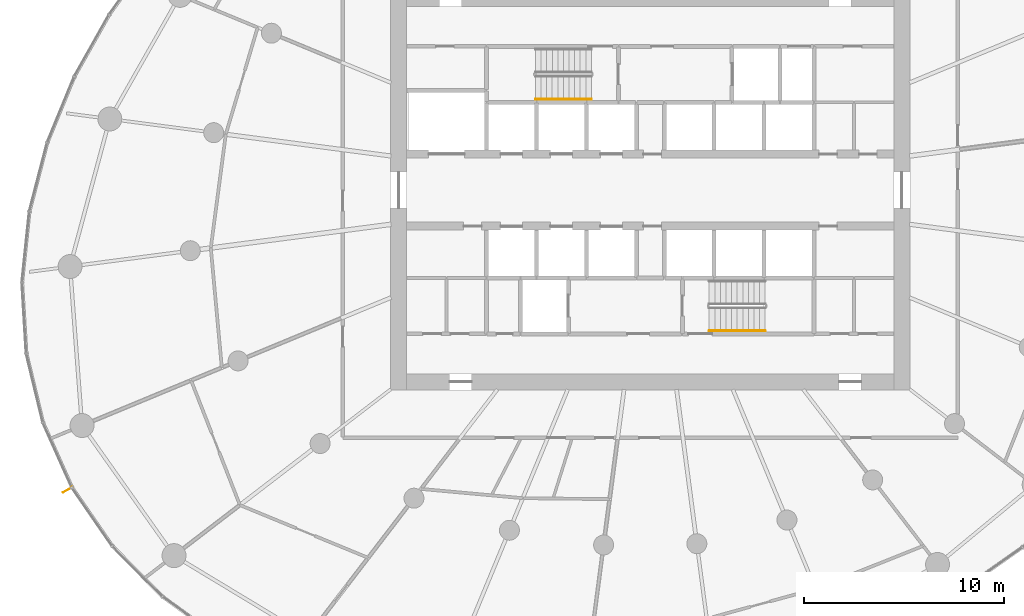
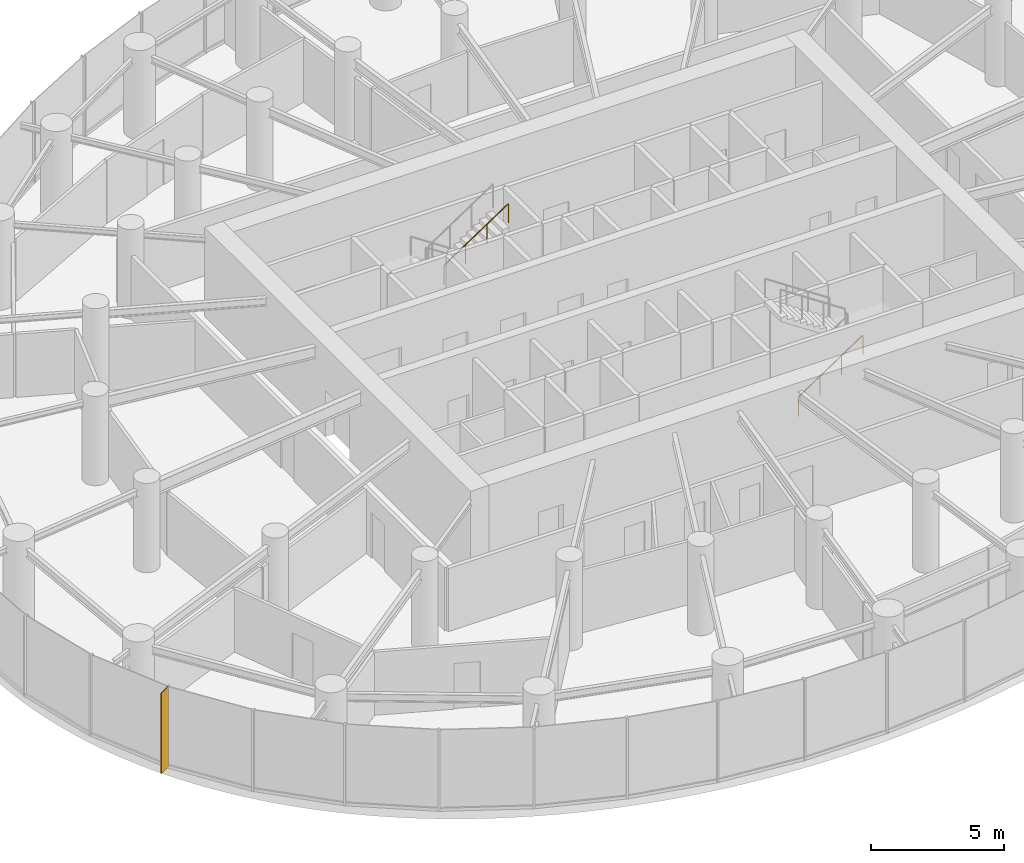
# One storey, part 15 of 17: 2 railings, 1 shading device.
"""IFC4 building model written with IfcOpenShell, lengths in metres."""

from ifc_helpers import new_model, si_unit, direction, frame, origin, origin_2d, place, context, subcontext, project, spatial, rectangle, circle, extrude, source, transform, mapped, material, material_profile, profile_set, type_object, element, save


model = new_model("IFC4")

# Units and contexts
model_context = context("Model", 3, precision=1e-05, world=origin(), true_north=direction((0.0, 1.0)))
body_context = subcontext(model_context, "Body", "Model", "MODEL_VIEW")
ifc_project = project(units=[si_unit("LENGTHUNIT", "METRE"), si_unit("AREAUNIT", "SQUARE_METRE"), si_unit("VOLUMEUNIT", "CUBIC_METRE"), si_unit("PLANEANGLEUNIT", "RADIAN"), si_unit("MASSUNIT", "GRAM", prefix="KILO")], contexts=[model_context])

# Site, building, storey
site_placement = place(None, origin())
site = spatial("IfcSite", under=ifc_project, at=site_placement, CompositionType="ELEMENT")
building_placement = place(site_placement, origin())
building = spatial("IfcBuilding", under=site, at=building_placement, Name="Spindrift Exchange Tower", CompositionType="ELEMENT")
storey_placement = place(building_placement, frame((0.0, 0.0, 92.10009765625)))
storey = spatial("IfcBuildingStorey", under=building, at=storey_placement, Name="L21", CompositionType="ELEMENT", Elevation=92.10009765625)

# Railings
ifc_material_1 = material(Name="Steel tubular handrail", Category="steel")
railing_type = type_object("IfcRailingType", Name="RL-STAIR-HAND", PredefinedType="HANDRAIL", material=ifc_material_1)
for number, where, name in (
    (1, (46.25, 52.550048828125, 2.236328125), "L21 ST1 stair handrail 2"),
    (2, (54.949951171875, 40.949951171875, 0.186279296875), "L21 ST2 stair handrail 1"),
):
    element("IfcRailing", number, at=place(storey_placement, frame(where)), inside=storey, type_object=railing_type, Name=name, PredefinedType="HANDRAIL", context=body_context, shape_type="SweptSolid", body=[
        extrude(circle(Radius=0.02392578125, at=origin_2d()), frame((0.0, 0.0, 0.8759765625), z_axis=(0.832485552168, 0.0, 0.554046753832), x_axis=(0.0, 1.0, 0.0)), (0.0, 0.0, 1.0), 3.363525390625),
        extrude(circle(Radius=0.02099609375, at=origin_2d()), origin(), (0.0, 0.0, 1.0), 0.851806640625),
        extrude(circle(Radius=0.02099609375, at=origin_2d()), frame((0.933349609375, 0.0, 0.62109375)), (0.0, 0.0, 1.0), 0.851806640625),
        extrude(circle(Radius=0.02099609375, at=origin_2d()), frame((1.86669921875, 0.0, 1.242431640625)), (0.0, 0.0, 1.0), 0.851806640625),
        extrude(circle(Radius=0.02099609375, at=origin_2d()), frame((2.800048828125, 0.0, 1.863525390625)), (0.0, 0.0, 1.0), 0.851806640625),
    ])

# Shading device
ifc_material_2 = material(Name="Bronze anodised aluminium", Category="aluminium")
ifc_material_profile = material_profile(ifc_material_2, rectangle(XDim=0.030029296875, YDim=0.550048828125, at=origin_2d()), Name="WIND FIN 30X550")
ifc_profile_set = profile_set([ifc_material_profile], Name="Bronze anodised aluminium")
shading_device_type = type_object("IfcShadingDeviceType", Name="WIND FIN 30X550", PredefinedType="USERDEFINED", material=ifc_profile_set)
shared_shape = source(origin(), body_context, "Body", "SweptSolid", [
    extrude(rectangle(XDim=0.030029296875, YDim=0.550048828125, at=origin_2d()), origin(), (0.0, 0.0, 1.0), 3.699951171875),
])
shading_device_placement = place(storey_placement, frame((22.824951171875, 32.992431640625, 0.0), z_axis=(0.0, 0.0, 1.0), x_axis=(0.489740091858, -0.871868477711, 0.0)))
element("IfcShadingDevice", 3, at=shading_device_placement, inside=storey, type_object=shading_device_type, Name="L21 wind fin 1", ObjectType="FIN", PredefinedType="USERDEFINED", context=body_context, shape_type="MappedRepresentation", body=[
    mapped(shared_shape, transform((0.0, 0.0, 0.0), scale=1.0)),
])

save(model, "model.ifc")
